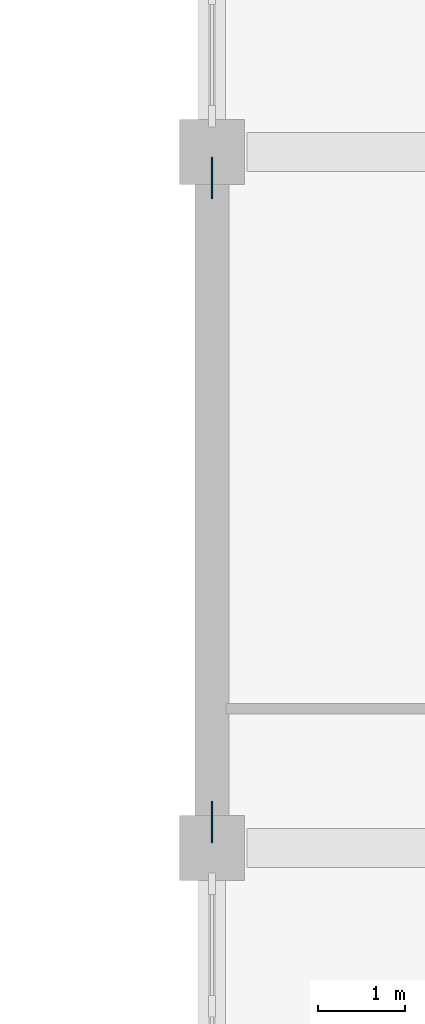
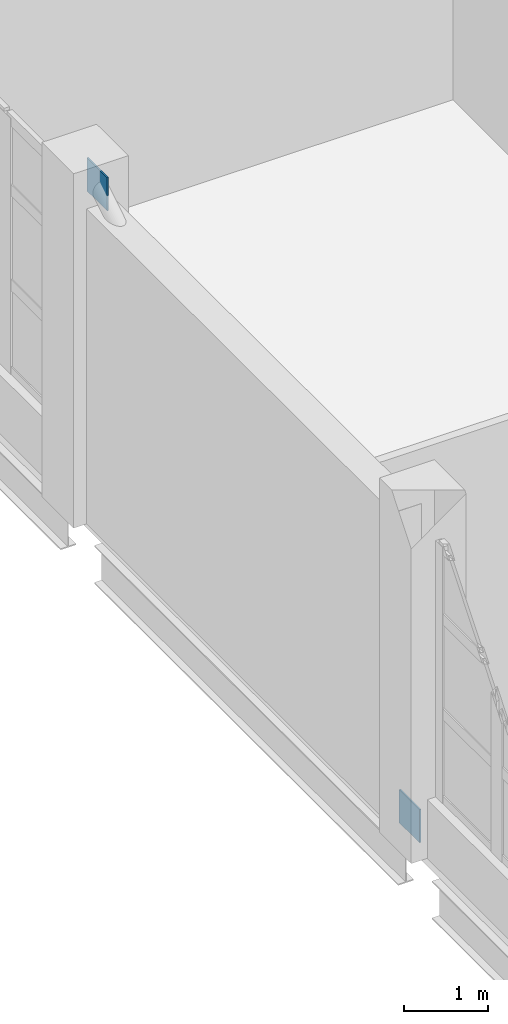
# One storey, part 66 of 103: 2 plates.
"""IFC4 building model written with IfcOpenShell, lengths in metres."""

import ifcopenshell
import ifcopenshell.guid

model = None  # the IFC model being written
_history = None  # IfcOwnerHistory: only IFC2X3 demands one
_inside = {}  # id of a spatial element -> (the spatial element, [elements in it])
_under = {}  # id of a project, library or spatial element -> (it, [spatial elements below it])
_declared = {}  # id of a project -> (the project, [libraries it declares])
_typed = {}  # id of a type object -> (the type object, [elements of that type])
_made_of = {}  # id of a material, layer set ... -> (it, [elements and type objects made of it])


def new_model(schema):
    """Start an empty IFC model of exactly this schema.

    Asked for "IFC4X3", IfcOpenShell would pick the latest addendum, in which some entities
    have other attributes; the version numbers below select the first issue.
    IFC2X3 requires an IfcOwnerHistory on every rooted entity: one is made here for all.
    """
    global model, _history
    if schema == "IFC4X3":
        model = ifcopenshell.file(schema_version=(4, 3, 0, 0))
    else:
        model = ifcopenshell.file(schema=schema)
    _inside.clear()
    _under.clear()
    _declared.clear()
    _typed.clear()
    _made_of.clear()
    _history = None
    if model.schema == "IFC2X3":
        org = make("IfcOrganization", Name="unknown")
        user = make(
            "IfcPersonAndOrganization",
            ThePerson=make("IfcPerson", FamilyName="unknown"),
            TheOrganization=org,
        )
        app = make(
            "IfcApplication",
            ApplicationDeveloper=org,
            Version="unknown",
            ApplicationFullName="unknown",
            ApplicationIdentifier="unknown",
        )
        _history = make(
            "IfcOwnerHistory",
            OwningUser=user,
            OwningApplication=app,
            ChangeAction="ADDED",
            CreationDate=0,
        )
    return model


def make(cls, **values):
    """One entity of the class cls with the attributes given. An attribute that is None is left unset."""
    return model.create_entity(
        cls, **{name: value for name, value in values.items() if value is not None}
    )


def rooted(cls, **values):
    """An entity with a GlobalId (a new one), such as an element, a storey or a relation."""
    return make(cls, GlobalId=ifcopenshell.guid.new(), OwnerHistory=_history, **values)


def si_unit(unit_type, name, prefix=None):
    """IfcSIUnit, for example si_unit("LENGTHUNIT", "METRE", prefix="MILLI")."""
    return make("IfcSIUnit", UnitType=unit_type, Prefix=prefix, Name=name)


def assignment(units):
    """IfcUnitAssignment: the units of a project."""
    return None if units is None else make("IfcUnitAssignment", Units=units)


def point(xyz):
    """IfcCartesianPoint."""
    return None if xyz is None else make("IfcCartesianPoint", Coordinates=xyz)


def direction(xyz):
    """IfcDirection."""
    return None if xyz is None else make("IfcDirection", DirectionRatios=xyz)


def frame(location, z_axis=None, x_axis=None):
    """IfcAxis2Placement3D, a coordinate frame: its origin and axes. An axis left out is left unset."""
    return make(
        "IfcAxis2Placement3D",
        Location=point(location),
        Axis=direction(z_axis),
        RefDirection=direction(x_axis),
    )


def frame_2d(location, x_axis=None):
    """IfcAxis2Placement2D, a coordinate frame in the plane: its origin and x axis."""
    return make(
        "IfcAxis2Placement2D", Location=point(location), RefDirection=direction(x_axis)
    )


def origin():
    """The frame at (0, 0, 0) with its axes left unset."""
    return frame((0.0, 0.0, 0.0))


def origin_2d():
    """The frame at (0, 0) in the plane with its x axis left unset."""
    return frame_2d((0.0, 0.0))


def place(relative_to, where):
    """IfcLocalPlacement: puts the frame where relative to a parent placement (None: the world)."""
    return make(
        "IfcLocalPlacement", PlacementRelTo=relative_to, RelativePlacement=where
    )


def context(
    kind, dimensions, precision=None, world=None, true_north=None, identifier=None
):
    """IfcGeometricRepresentationContext, for example the 3D "Model" context."""
    return make(
        "IfcGeometricRepresentationContext",
        ContextIdentifier=identifier,
        ContextType=kind,
        CoordinateSpaceDimension=dimensions,
        Precision=precision,
        WorldCoordinateSystem=world,
        TrueNorth=true_north,
    )


def subcontext(parent, identifier, kind, view, scale=None):
    """IfcGeometricRepresentationSubContext, for example "Body" below "Model"."""
    return make(
        "IfcGeometricRepresentationSubContext",
        ContextIdentifier=identifier,
        ContextType=kind,
        ParentContext=parent,
        TargetScale=scale,
        TargetView=view,
    )


def project(units=None, contexts=None):
    """IfcProject with its units and contexts."""
    return rooted(
        "IfcProject",
        Name="project",
        RepresentationContexts=contexts,
        UnitsInContext=assignment(units),
    )


def spatial(cls, under=None, at=None, **own):
    """A site, building, storey or space (cls), placed at a placement, below another one or the project."""
    s = rooted(cls, ObjectPlacement=at, **own)
    if under is not None:
        _under.setdefault(under.id(), (under, []))[1].append(s)
    return s


def profile(cls, at=None, kind="AREA", **sizes):
    """A parametric profile (cls). Its sizes go by their IFC names, for example OverallWidth=200.0."""
    return make(cls, ProfileType=kind, Position=at, **sizes)


def rectangle(**sizes):
    """IfcRectangleProfileDef."""
    return profile("IfcRectangleProfileDef", **sizes)


def extrude(swept, where, along, depth):
    """IfcExtrudedAreaSolid: the profile swept, set in the frame where, extruded along a direction by depth."""
    return make(
        "IfcExtrudedAreaSolid",
        SweptArea=swept,
        Position=where,
        ExtrudedDirection=direction(along),
        Depth=depth,
    )


def shape(context_of_items, identifier, shape_type, items):
    """IfcShapeRepresentation: the items that make up one representation, for example the "Body"."""
    return make(
        "IfcShapeRepresentation",
        ContextOfItems=context_of_items,
        RepresentationIdentifier=identifier,
        RepresentationType=shape_type,
        Items=items,
    )


def material(Name=None, Category=None):
    """IfcMaterial."""
    return make("IfcMaterial", Name=Name, Category=Category)


def layer(
    of_material, thickness, ventilated=None, Name=None, Category=None, Priority=None
):
    """IfcMaterialLayer: one layer of a wall or slab, of a material (None: an air gap)."""
    return make(
        "IfcMaterialLayer",
        Material=of_material,
        LayerThickness=thickness,
        IsVentilated=ventilated,
        Name=Name,
        Category=Category,
        Priority=Priority,
    )


def layer_set(layers, Name=None):
    """IfcMaterialLayerSet."""
    return make("IfcMaterialLayerSet", MaterialLayers=layers, LayerSetName=Name)


def made_of(thing, what):
    """Note that an element or type object is made of a material, layer set ...; save() writes the relation."""
    if what is not None:
        _made_of.setdefault(what.id(), (what, []))[1].append(thing)
    return thing


def type_object(cls, material=None, **own):
    """A type object (cls), such as IfcWallType, which elements share."""
    return made_of(rooted(cls, **own), material)


def element(
    cls,
    number,
    at=None,
    inside=None,
    cuts=None,
    type_object=None,
    material=None,
    context=None,
    identifier="Body",
    shape_type=None,
    held_by="IfcProductDefinitionShape",
    body=None,
    shapes=None,
    **own,
):
    """One element of the class cls, such as IfcWall. Its Tag is "e" and its number.

    at: its placement. inside: the storey or other place that contains it. cuts: it is an
    opening in that element (IfcRelVoidsElement). A single representation is given by context,
    identifier, shape_type and body (its items); several are given by shapes. held_by: the class
    of the entity that holds the representations. save() writes the other relations.
    """
    e = rooted(cls, Tag="e%d" % number, ObjectPlacement=at, **own)
    if body is not None:
        shapes = [shape(context, identifier, shape_type, body)]
    if shapes is not None:
        e.Representation = make(held_by, Representations=shapes)
    if inside is not None:
        _inside.setdefault(inside.id(), (inside, []))[1].append(e)
    if cuts is not None:
        rooted(
            "IfcRelVoidsElement", RelatingBuildingElement=cuts, RelatedOpeningElement=e
        )
    if type_object is not None:
        _typed.setdefault(type_object.id(), (type_object, []))[1].append(e)
    return made_of(e, material)


def aggregate(whole, parts):
    """IfcRelAggregates: a whole, such as a stair, and the parts it consists of."""
    return rooted("IfcRelAggregates", RelatingObject=whole, RelatedObjects=parts)


def save(model, path):
    """Write the relations noted so far, then the file.

    IfcRelAggregates (storeys below a building ...), IfcRelContainedInSpatialStructure (elements
    in a storey), IfcRelDefinesByType, IfcRelAssociatesMaterial and IfcRelDeclares: one each for
    every whole, place, type object, material and project.
    """
    for whole, parts in _under.values():
        aggregate(whole, parts)
    for where, things in _inside.values():
        rooted(
            "IfcRelContainedInSpatialStructure",
            RelatedElements=things,
            RelatingStructure=where,
        )
    for kind, things in _typed.values():
        rooted("IfcRelDefinesByType", RelatedObjects=things, RelatingType=kind)
    for what, things in _made_of.values():
        rooted("IfcRelAssociatesMaterial", RelatedObjects=things, RelatingMaterial=what)
    for by, libraries in _declared.values():
        rooted("IfcRelDeclares", RelatingContext=by, RelatedDefinitions=libraries)
    model.write(path)


model = new_model("IFC4")

# Units and contexts
model_context = context("Model", 3, precision=1e-05, world=origin(), true_north=direction((0.0, 1.0)))
body_context = subcontext(model_context, "Body", "Model", "MODEL_VIEW")
ifc_project = project(units=[si_unit("LENGTHUNIT", "METRE"), si_unit("AREAUNIT", "SQUARE_METRE"), si_unit("VOLUMEUNIT", "CUBIC_METRE"), si_unit("PLANEANGLEUNIT", "RADIAN"), si_unit("MASSUNIT", "GRAM", prefix="KILO")], contexts=[model_context])

# Site, building, storey
site_placement = place(None, origin())
site = spatial("IfcSite", under=ifc_project, at=site_placement, CompositionType="ELEMENT")
building_placement = place(site_placement, origin())
building = spatial("IfcBuilding", under=site, at=building_placement, Name="Drelvana Railside Aquatics Centre", CompositionType="ELEMENT")
storey_placement = place(building_placement, origin())
storey = spatial("IfcBuildingStorey", under=building, at=storey_placement, Name="L00", CompositionType="ELEMENT", Elevation=0.0)

# Plates
ifc_material = material(Name="Structural steel S355", Category="steel")
ifc_layer = layer(ifc_material, 0.02197265625, Name="Structural steel S355")
ifc_layer_set = layer_set([ifc_layer], Name="Structural steel S355")
plate_type = type_object("IfcPlateType", Name="STR-PLT-PL-04", PredefinedType="SHEET", material=ifc_layer_set)
for number, where, z_axis, x_axis, name in (
    (1, (24.0, 92.300048828125, -0.090087890625), (0.0, 0.0, 1.0), (1.0, 0.0, 0.0), "Brace gusset end plate PL-04 (L00)"),
    (2, (24.0, 99.699951171875, 4.56005859375), (0.0, 0.0, 1.0), (1.0, 0.0, 0.0), "Brace gusset end plate PL-04 (L00)"),
):
    element("IfcPlate", number, at=place(storey_placement, frame(where, z_axis=z_axis, x_axis=x_axis)), inside=storey, type_object=plate_type, Name=name, PredefinedType="SHEET", context=body_context, shape_type="SweptSolid", body=[
        extrude(rectangle(XDim=0.02197265625, YDim=0.47998046875, at=origin_2d()), origin(), (0.0, 0.0, 1.0), 0.47998046875),
    ])

save(model, "model.ifc")
